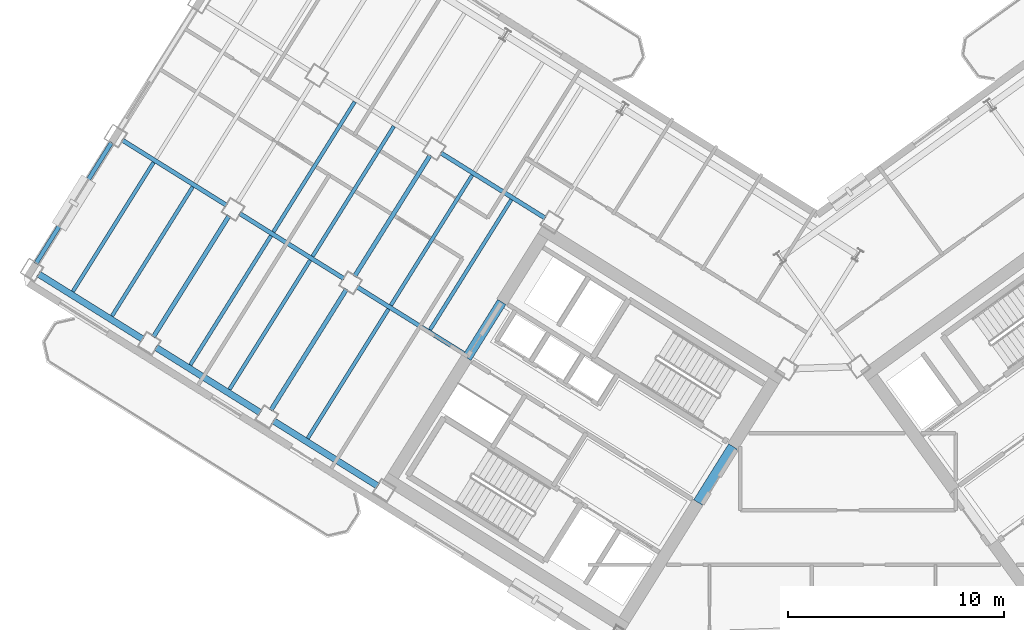
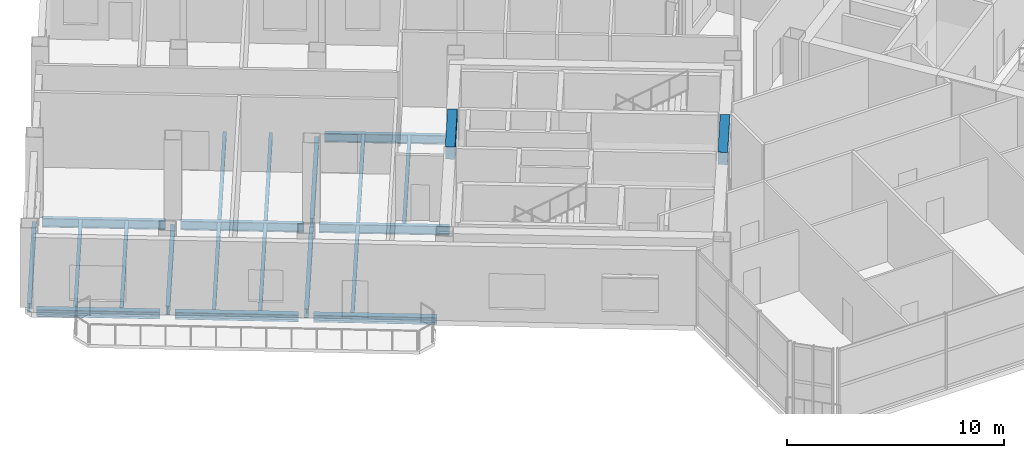
# One storey, part 5 of 20: 22 beams.
"""IFC4 building model written with IfcOpenShell, lengths in metres."""

from ifc_helpers import new_model, si_unit, direction, frame, origin, origin_2d, place, context, subcontext, project, spatial, rectangle, i_section, extrude, source, transform, mapped, material, material_profile, profile_set, type_object, element, save


model = new_model("IFC4")

# Units and contexts
model_context = context("Model", 3, precision=1e-05, world=origin(), true_north=direction((0.0, 1.0)))
body_context = subcontext(model_context, "Body", "Model", "MODEL_VIEW")
ifc_project = project(units=[si_unit("LENGTHUNIT", "METRE"), si_unit("AREAUNIT", "SQUARE_METRE"), si_unit("VOLUMEUNIT", "CUBIC_METRE"), si_unit("PLANEANGLEUNIT", "RADIAN"), si_unit("MASSUNIT", "GRAM", prefix="KILO")], contexts=[model_context])

# Site, building, storey
site_placement = place(None, origin())
site = spatial("IfcSite", under=ifc_project, at=site_placement, CompositionType="ELEMENT")
building_placement = place(site_placement, origin())
building = spatial("IfcBuilding", under=site, at=building_placement, Name="Tlacorven Tower", CompositionType="ELEMENT")
storey_placement = place(building_placement, frame((0.0, 0.0, 195.0)))
storey = spatial("IfcBuildingStorey", under=building, at=storey_placement, Name="L49", CompositionType="ELEMENT", Elevation=195.0)

# Beams
ifc_material_1 = material(Name="Concrete C60/75", Category="concrete")
ifc_material_profile_1 = material_profile(ifc_material_1, rectangle(XDim=0.449951171875, YDim=0.699951171875, at=origin_2d()), Name="RC 450X700")
ifc_profile_set_1 = profile_set([ifc_material_profile_1], Name="Concrete C60/75")
beam_type_1 = type_object("IfcBeamType", Name="BM-LNT-700", PredefinedType="LINTEL", material=ifc_profile_set_1)
shared_shape_1 = source(origin(), body_context, "Body", "SweptSolid", [
    extrude(rectangle(XDim=0.449951171875, YDim=0.699951171875, at=origin_2d()), origin(), (0.0, 0.0, 1.0), 3.050048828125),
])
beam_1_placement = place(storey_placement, frame((38.2998046875, 20.890625, 3.8701171875), z_axis=(-0.529984549635, -0.848007297815, 0.0), x_axis=(0.848007297815, -0.529984549635, 0.0)))
element("IfcBeam", 1, at=beam_1_placement, inside=storey, type_object=beam_type_1, Name="L49 W core coupling lintel beam E1", PredefinedType="LINTEL", context=body_context, shape_type="MappedRepresentation", body=[
    mapped(shared_shape_1, transform((0.0, 0.0, 0.0), scale=1.0)),
])
shared_shape_2 = source(origin(), body_context, "Body", "SweptSolid", [
    extrude(rectangle(XDim=0.449951171875, YDim=0.699951171875, at=origin_2d()), origin(), (0.0, 0.0, 1.0), 3.0498046875),
])
beam_2_placement = place(storey_placement, frame((27.622802734375, 27.562255859375, 3.8701171875), z_axis=(-0.529926983584, -0.848043272522, 0.0), x_axis=(0.848043272522, -0.529926983584, 0.0)))
element("IfcBeam", 2, at=beam_2_placement, inside=storey, type_object=beam_type_1, Name="L49 W core coupling lintel beam E2", PredefinedType="LINTEL", context=body_context, shape_type="MappedRepresentation", body=[
    mapped(shared_shape_2, transform((0.0, 0.0, 0.0), scale=1.0)),
])
ifc_material_2 = material(Name="Steel S355J2", Category="steel")
ifc_material_profile_2 = material_profile(ifc_material_2, i_section(OverallWidth=0.199951171875, OverallDepth=0.5, WebThickness=0.01025390625, FlangeThickness=0.01611328125, at=origin_2d()), Name="IPE 500")
ifc_profile_set_2 = profile_set([ifc_material_profile_2], Name="Steel S355J2")
beam_type_2 = type_object("IfcBeamType", Name="BM-TWR-500", PredefinedType="BEAM", material=ifc_profile_set_2)
shared_shape_3 = source(origin(), body_context, "Body", "SweptSolid", [
    extrude(i_section(OverallWidth=0.199951171875, OverallDepth=0.5, WebThickness=0.01025390625, FlangeThickness=0.01611328125, at=origin_2d()), origin(), (0.0, 0.0, 1.0), 6.010009765625),
])
beam_3_placement = place(storey_placement, frame((26.025634765625, 25.081787109375, -0.530029296875), z_axis=(-0.848043944584, 0.529925908081, 0.0), x_axis=(-0.529925908081, -0.848043944584, 0.0)))
element("IfcBeam", 3, at=beam_3_placement, inside=storey, type_object=beam_type_2, Name="L49 beam BM-L49-WL3-3", PredefinedType="BEAM", context=body_context, shape_type="MappedRepresentation", body=[
    mapped(shared_shape_3, transform((0.0, 0.0, 0.0), scale=1.0)),
])
shared_shape_4 = source(origin(), body_context, "Body", "SweptSolid", [
    extrude(i_section(OverallWidth=0.199951171875, OverallDepth=0.5, WebThickness=0.01025390625, FlangeThickness=0.01611328125, at=origin_2d()), origin(), (0.0, 0.0, 1.0), 5.7001953125),
])
for number, where, z_axis, x_axis, name in (
    (4, (20.335205078125, 28.637451171875, -0.530029296875), (-0.848036800771, 0.529937340199, 0.0), (-0.529937340199, -0.848036800771, 0.0), "L49 beam BM-L49-WL3-4"),
    (5, (14.90771484375, 32.029052734375, -0.530029296875), (-0.848056048787, 0.529906537151, 0.0), (-0.529906537151, -0.848056048787, 0.0), "L49 beam BM-L49-WL3-5"),
):
    element("IfcBeam", number, at=place(storey_placement, frame(where, z_axis=z_axis, x_axis=x_axis)), inside=storey, type_object=beam_type_2, Name=name, PredefinedType="BEAM", context=body_context, shape_type="MappedRepresentation", body=[
        mapped(shared_shape_4, transform((0.0, 0.0, 0.0), scale=1.0)),
    ])
shared_shape_5 = source(origin(), body_context, "Body", "SweptSolid", [
    extrude(i_section(OverallWidth=0.199951171875, OverallDepth=0.5, WebThickness=0.01025390625, FlangeThickness=0.01611328125, at=origin_2d()), origin(), (0.0, 0.0, 1.0), 5.699951171875),
])
beam_4_placement = place(storey_placement, frame((29.631103515625, 31.436767578125, -0.530029296875), z_axis=(-0.848044021115, 0.529925785607, 0.0), x_axis=(-0.529925785607, -0.848044021115, 0.0)))
element("IfcBeam", 6, at=beam_4_placement, inside=storey, type_object=beam_type_2, Name="L49 beam BM-L49-WL2-3", PredefinedType="BEAM", context=body_context, shape_type="MappedRepresentation", body=[
    mapped(shared_shape_5, transform((0.0, 0.0, 0.0), scale=1.0)),
])
shared_shape_6 = source(origin(), body_context, "Body", "SweptSolid", [
    extrude(i_section(OverallWidth=0.199951171875, OverallDepth=0.5, WebThickness=0.01025390625, FlangeThickness=0.01611328125, at=origin_2d()), origin(), (0.0, 0.0, 1.0), 6.599853515625),
])
beam_5_placement = place(storey_placement, frame((24.31494140625, 34.345947265625, -0.530029296875), z_axis=(-0.529942412256, -0.848033631227, 0.0), x_axis=(0.848033631227, -0.529942412256, 0.0)))
element("IfcBeam", 7, at=beam_5_placement, inside=storey, type_object=beam_type_2, Name="L49 beam BM-L49-WT4-2", PredefinedType="BEAM", context=body_context, shape_type="MappedRepresentation", body=[
    mapped(shared_shape_6, transform((0.0, 0.0, 0.0), scale=1.0)),
])
shared_shape_7 = source(origin(), body_context, "Body", "SweptSolid", [
    extrude(i_section(OverallWidth=0.199951171875, OverallDepth=0.5, WebThickness=0.01025390625, FlangeThickness=0.01611328125, at=origin_2d()), origin(), (0.0, 0.0, 1.0), 6.60009765625),
])
for number, where, z_axis, x_axis, name in (
    (8, (20.446533203125, 28.1552734375, -0.530029296875), (-0.529925788294, -0.848044019436, 0.0), (0.848044019436, -0.529925788294, 0.0), "L49 beam BM-L49-WT4-3"),
    (9, (15.01904296875, 31.546875, -0.530029296875), (-0.529925788294, -0.848044019436, 0.0), (0.848044019436, -0.529925788294, 0.0), "L49 beam BM-L49-WT5-3"),
    (10, (9.591552734375, 34.938232421875, -0.530029296875), (-0.529925788294, -0.848044019436, 0.0), (0.848044019436, -0.529925788294, 0.0), "L49 beam BM-L49-WT6-3"),
):
    element("IfcBeam", number, at=place(storey_placement, frame(where, z_axis=z_axis, x_axis=x_axis)), inside=storey, type_object=beam_type_2, Name=name, PredefinedType="BEAM", context=body_context, shape_type="MappedRepresentation", body=[
        mapped(shared_shape_7, transform((0.0, 0.0, 0.0), scale=1.0)),
    ])
ifc_material_profile_3 = material_profile(ifc_material_2, i_section(OverallWidth=0.169921875, OverallDepth=0.360107421875, WebThickness=0.008056640625, FlangeThickness=0.0126953125, at=origin_2d()), Name="IPE 360")
ifc_profile_set_3 = profile_set([ifc_material_profile_3], Name="Steel S355J2")
beam_type_3 = type_object("IfcBeamType", Name="BM-JST-360", PredefinedType="JOIST", material=ifc_profile_set_3)
shared_shape_8 = source(origin(), body_context, "Body", "SweptSolid", [
    extrude(i_section(OverallWidth=0.169921875, OverallDepth=0.360107421875, WebThickness=0.008056640625, FlangeThickness=0.0126953125, at=origin_2d()), origin(), (0.0, 0.0, 1.0), 7.0400390625),
])
for number, where, z_axis, x_axis, name in (
    (11, (18.767333984375, 29.493408203125, -0.4599609375), (-0.529930359501, -0.848041162963, 0.0), (0.848041162963, -0.529930359501, 0.0), "L49 beam BM-L49-WJ4-3-1"),
    (12, (16.9580078125, 30.6240234375, -0.4599609375), (-0.529930359501, -0.848041162963, 0.0), (0.848041162963, -0.529930359501, 0.0), "L49 beam BM-L49-WJ4-3-2"),
    (13, (13.33984375, 32.885009765625, -0.4599609375), (-0.529930359501, -0.848041162963, 0.0), (0.848041162963, -0.529930359501, 0.0), "L49 beam BM-L49-WJ5-3-1"),
):
    element("IfcBeam", number, at=place(storey_placement, frame(where, z_axis=z_axis, x_axis=x_axis)), inside=storey, type_object=beam_type_3, Name=name, PredefinedType="JOIST", context=body_context, shape_type="MappedRepresentation", body=[
        mapped(shared_shape_8, transform((0.0, 0.0, 0.0), scale=1.0)),
    ])
shared_shape_9 = source(origin(), body_context, "Body", "SweptSolid", [
    extrude(i_section(OverallWidth=0.169921875, OverallDepth=0.360107421875, WebThickness=0.008056640625, FlangeThickness=0.0126953125, at=origin_2d()), origin(), (0.0, 0.0, 1.0), 7.090087890625),
])
for number, where, z_axis, x_axis, name in (
    (14, (28.063232421875, 32.292724609375, -0.4599609375), (-0.529912270669, -0.84805246618, 0.0), (0.84805246618, -0.529912270669, 0.0), "L49 beam BM-L49-WJ3-2-1"),
    (15, (26.25390625, 33.42333984375, -0.4599609375), (-0.529912270669, -0.84805246618, 0.0), (0.84805246618, -0.529912270669, 0.0), "L49 beam BM-L49-WJ3-2-2"),
    (16, (22.6357421875, 35.684326171875, -0.4599609375), (-0.529937035031, -0.848036991471, 0.0), (0.848036991471, -0.529937035031, 0.0), "L49 beam BM-L49-WJ4-2-1"),
):
    element("IfcBeam", number, at=place(storey_placement, frame(where, z_axis=z_axis, x_axis=x_axis)), inside=storey, type_object=beam_type_3, Name=name, PredefinedType="JOIST", context=body_context, shape_type="MappedRepresentation", body=[
        mapped(shared_shape_9, transform((0.0, 0.0, 0.0), scale=1.0)),
    ])
shared_shape_10 = source(origin(), body_context, "Body", "SweptSolid", [
    extrude(i_section(OverallWidth=0.169921875, OverallDepth=0.360107421875, WebThickness=0.008056640625, FlangeThickness=0.0126953125, at=origin_2d()), origin(), (0.0, 0.0, 1.0), 7.08984375),
])
beam_6_placement = place(storey_placement, frame((20.826416015625, 36.814697265625, -0.4599609375), z_axis=(-0.529927745663, -0.848042796312, 0.0), x_axis=(0.848042796312, -0.529927745663, 0.0)))
element("IfcBeam", 17, at=beam_6_placement, inside=storey, type_object=beam_type_3, Name="L49 beam BM-L49-WJ4-2-2", PredefinedType="JOIST", context=body_context, shape_type="MappedRepresentation", body=[
    mapped(shared_shape_10, transform((0.0, 0.0, 0.0), scale=1.0)),
])
shared_shape_11 = source(origin(), body_context, "Body", "SweptSolid", [
    extrude(i_section(OverallWidth=0.169921875, OverallDepth=0.360107421875, WebThickness=0.008056640625, FlangeThickness=0.0126953125, at=origin_2d()), origin(), (0.0, 0.0, 1.0), 7.040283203125),
])
for number, where, z_axis, x_axis, name in (
    (18, (22.385498046875, 27.232666015625, -0.4599609375), (-0.529914775015, -0.848050901315, 0.0), (0.848050901315, -0.529914775015, 0.0), "L49 beam BM-L49-WJ3-3-2"),
    (19, (11.530517578125, 34.015625, -0.4599609375), (-0.529914775015, -0.848050901315, 0.0), (0.848050901315, -0.529914775015, 0.0), "L49 beam BM-L49-WJ5-3-2"),
):
    element("IfcBeam", number, at=place(storey_placement, frame(where, z_axis=z_axis, x_axis=x_axis)), inside=storey, type_object=beam_type_3, Name=name, PredefinedType="JOIST", context=body_context, shape_type="MappedRepresentation", body=[
        mapped(shared_shape_11, transform((0.0, 0.0, 0.0), scale=1.0)),
    ])
ifc_material_profile_4 = material_profile(ifc_material_2, i_section(OverallWidth=0.300048828125, OverallDepth=0.389892578125, WebThickness=0.010986328125, FlangeThickness=0.01904296875, at=origin_2d()), Name="HEA 400")
ifc_profile_set_4 = profile_set([ifc_material_profile_4], Name="Steel S355J2")
beam_type_4 = type_object("IfcBeamType", Name="BM-SPN-400", PredefinedType="SPANDREL", material=ifc_profile_set_4)
shared_shape_12 = source(origin(), body_context, "Body", "SweptSolid", [
    extrude(i_section(OverallWidth=0.300048828125, OverallDepth=0.389892578125, WebThickness=0.010986328125, FlangeThickness=0.01904296875, at=origin_2d()), origin(), (0.0, 0.0, 1.0), 5.699951171875),
])
beam_7_placement = place(storey_placement, frame((21.894287109375, 19.055419921875, -0.47509765625), z_axis=(-0.848044021115, 0.529925785607, 0.0), x_axis=(-0.529925785607, -0.848044021115, 0.0)))
element("IfcBeam", 20, at=beam_7_placement, inside=storey, type_object=beam_type_4, Name="L49 beam BM-L49-WL4-3", PredefinedType="SPANDREL", context=body_context, shape_type="MappedRepresentation", body=[
    mapped(shared_shape_12, transform((0.0, 0.0, 0.0), scale=1.0)),
])
shared_shape_13 = source(origin(), body_context, "Body", "SweptSolid", [
    extrude(i_section(OverallWidth=0.300048828125, OverallDepth=0.389892578125, WebThickness=0.010986328125, FlangeThickness=0.01904296875, at=origin_2d()), origin(), (0.0, 0.0, 1.0), 5.7001953125),
])
for number, where, z_axis, x_axis, name in (
    (21, (16.466796875, 22.44677734375, -0.47509765625), (-0.848056048787, 0.529906537151, 0.0), (-0.529906537151, -0.848056048787, 0.0), "L49 beam BM-L49-WL4-4"),
    (22, (11.039306640625, 25.83837890625, -0.47509765625), (-0.848056048787, 0.529906537151, 0.0), (-0.529906537151, -0.848056048787, 0.0), "L49 beam BM-L49-WL4-5"),
):
    element("IfcBeam", number, at=place(storey_placement, frame(where, z_axis=z_axis, x_axis=x_axis)), inside=storey, type_object=beam_type_4, Name=name, PredefinedType="SPANDREL", context=body_context, shape_type="MappedRepresentation", body=[
        mapped(shared_shape_13, transform((0.0, 0.0, 0.0), scale=1.0)),
    ])

save(model, "model.ifc")
